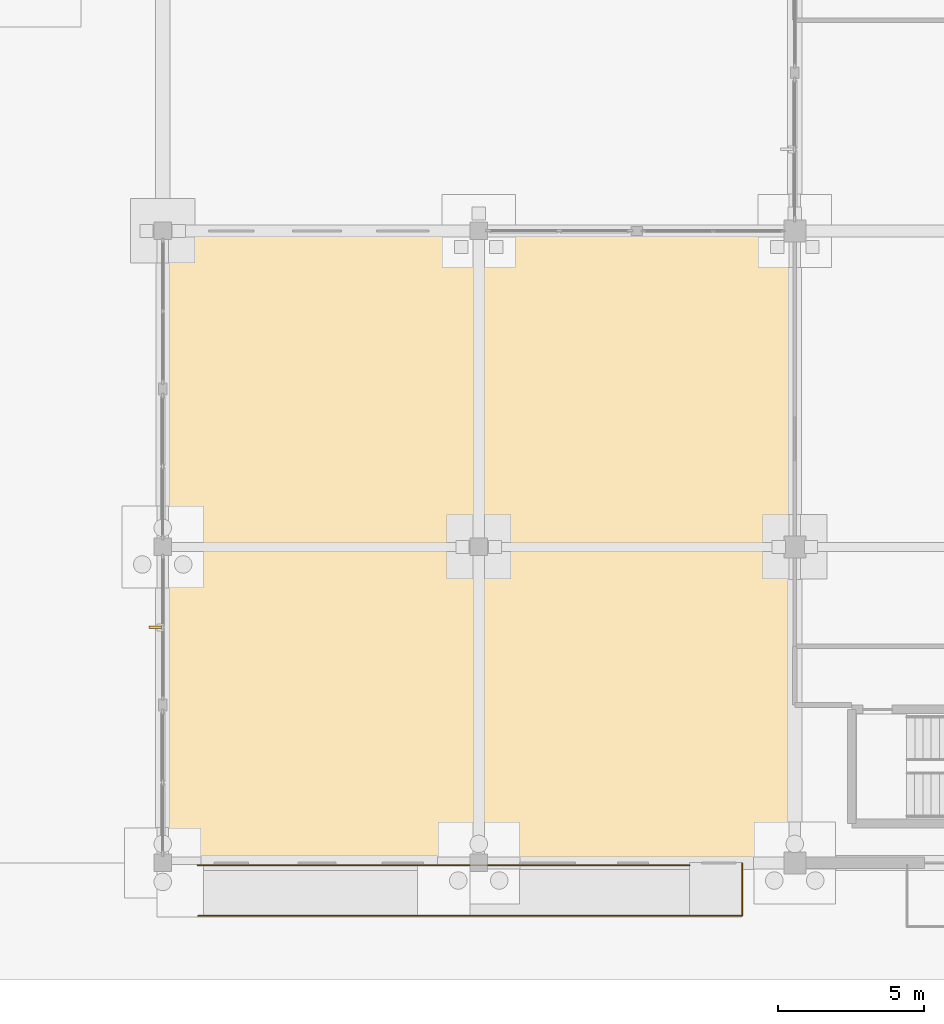
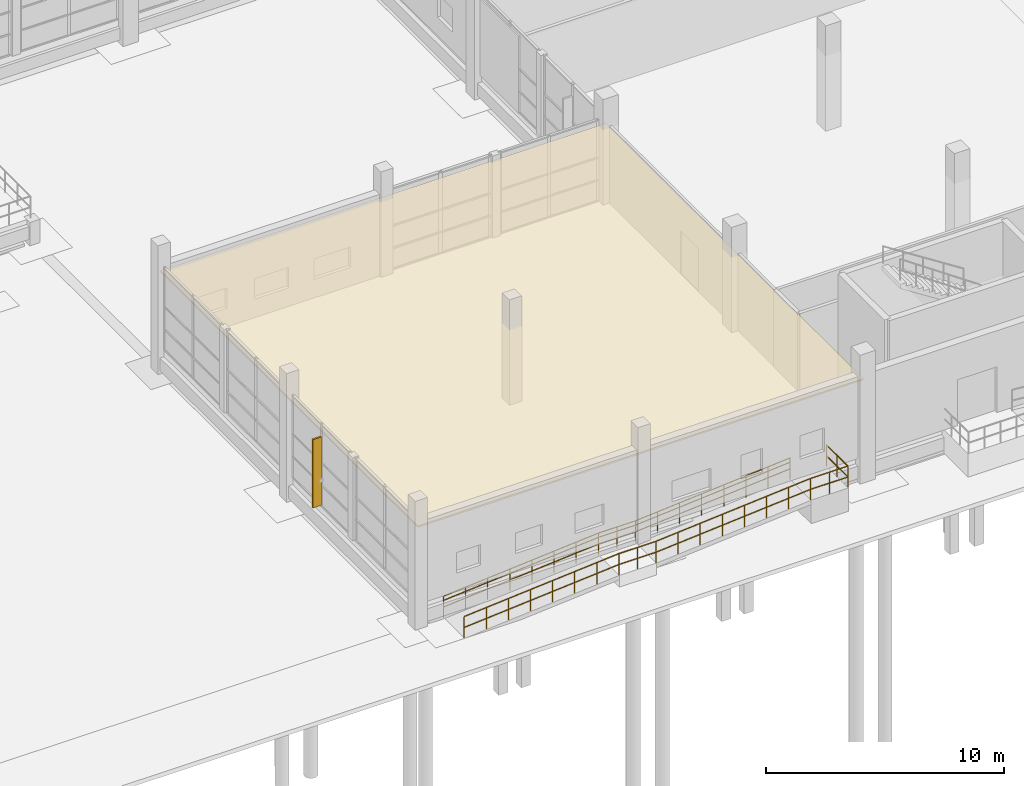
# One storey, part 126 of 138: 3 railings, 1 covering, 1 shading device.
"""IFC4 building model written with IfcOpenShell, lengths in metres."""

import ifcopenshell
import ifcopenshell.guid

model = None  # the IFC model being written
_history = None  # IfcOwnerHistory: only IFC2X3 demands one
_inside = {}  # id of a spatial element -> (the spatial element, [elements in it])
_under = {}  # id of a project, library or spatial element -> (it, [spatial elements below it])
_declared = {}  # id of a project -> (the project, [libraries it declares])
_typed = {}  # id of a type object -> (the type object, [elements of that type])
_made_of = {}  # id of a material, layer set ... -> (it, [elements and type objects made of it])


def new_model(schema):
    """Start an empty IFC model of exactly this schema.

    Asked for "IFC4X3", IfcOpenShell would pick the latest addendum, in which some entities
    have other attributes; the version numbers below select the first issue.
    IFC2X3 requires an IfcOwnerHistory on every rooted entity: one is made here for all.
    """
    global model, _history
    if schema == "IFC4X3":
        model = ifcopenshell.file(schema_version=(4, 3, 0, 0))
    else:
        model = ifcopenshell.file(schema=schema)
    _inside.clear()
    _under.clear()
    _declared.clear()
    _typed.clear()
    _made_of.clear()
    _history = None
    if model.schema == "IFC2X3":
        org = make("IfcOrganization", Name="unknown")
        user = make(
            "IfcPersonAndOrganization",
            ThePerson=make("IfcPerson", FamilyName="unknown"),
            TheOrganization=org,
        )
        app = make(
            "IfcApplication",
            ApplicationDeveloper=org,
            Version="unknown",
            ApplicationFullName="unknown",
            ApplicationIdentifier="unknown",
        )
        _history = make(
            "IfcOwnerHistory",
            OwningUser=user,
            OwningApplication=app,
            ChangeAction="ADDED",
            CreationDate=0,
        )
    return model


def make(cls, **values):
    """One entity of the class cls with the attributes given. An attribute that is None is left unset."""
    return model.create_entity(
        cls, **{name: value for name, value in values.items() if value is not None}
    )


def rooted(cls, **values):
    """An entity with a GlobalId (a new one), such as an element, a storey or a relation."""
    return make(cls, GlobalId=ifcopenshell.guid.new(), OwnerHistory=_history, **values)


def si_unit(unit_type, name, prefix=None):
    """IfcSIUnit, for example si_unit("LENGTHUNIT", "METRE", prefix="MILLI")."""
    return make("IfcSIUnit", UnitType=unit_type, Prefix=prefix, Name=name)


def assignment(units):
    """IfcUnitAssignment: the units of a project."""
    return None if units is None else make("IfcUnitAssignment", Units=units)


def point(xyz):
    """IfcCartesianPoint."""
    return None if xyz is None else make("IfcCartesianPoint", Coordinates=xyz)


def direction(xyz):
    """IfcDirection."""
    return None if xyz is None else make("IfcDirection", DirectionRatios=xyz)


def frame(location, z_axis=None, x_axis=None):
    """IfcAxis2Placement3D, a coordinate frame: its origin and axes. An axis left out is left unset."""
    return make(
        "IfcAxis2Placement3D",
        Location=point(location),
        Axis=direction(z_axis),
        RefDirection=direction(x_axis),
    )


def frame_2d(location, x_axis=None):
    """IfcAxis2Placement2D, a coordinate frame in the plane: its origin and x axis."""
    return make(
        "IfcAxis2Placement2D", Location=point(location), RefDirection=direction(x_axis)
    )


def origin():
    """The frame at (0, 0, 0) with its axes left unset."""
    return frame((0.0, 0.0, 0.0))


def origin_2d():
    """The frame at (0, 0) in the plane with its x axis left unset."""
    return frame_2d((0.0, 0.0))


def place(relative_to, where):
    """IfcLocalPlacement: puts the frame where relative to a parent placement (None: the world)."""
    return make(
        "IfcLocalPlacement", PlacementRelTo=relative_to, RelativePlacement=where
    )


def context(
    kind, dimensions, precision=None, world=None, true_north=None, identifier=None
):
    """IfcGeometricRepresentationContext, for example the 3D "Model" context."""
    return make(
        "IfcGeometricRepresentationContext",
        ContextIdentifier=identifier,
        ContextType=kind,
        CoordinateSpaceDimension=dimensions,
        Precision=precision,
        WorldCoordinateSystem=world,
        TrueNorth=true_north,
    )


def subcontext(parent, identifier, kind, view, scale=None):
    """IfcGeometricRepresentationSubContext, for example "Body" below "Model"."""
    return make(
        "IfcGeometricRepresentationSubContext",
        ContextIdentifier=identifier,
        ContextType=kind,
        ParentContext=parent,
        TargetScale=scale,
        TargetView=view,
    )


def project(units=None, contexts=None):
    """IfcProject with its units and contexts."""
    return rooted(
        "IfcProject",
        Name="project",
        RepresentationContexts=contexts,
        UnitsInContext=assignment(units),
    )


def spatial(cls, under=None, at=None, **own):
    """A site, building, storey or space (cls), placed at a placement, below another one or the project."""
    s = rooted(cls, ObjectPlacement=at, **own)
    if under is not None:
        _under.setdefault(under.id(), (under, []))[1].append(s)
    return s


def polyline(points):
    """IfcPolyline through the points."""
    return make("IfcPolyline", Points=[point(p) for p in points])


def profile(cls, at=None, kind="AREA", **sizes):
    """A parametric profile (cls). Its sizes go by their IFC names, for example OverallWidth=200.0."""
    return make(cls, ProfileType=kind, Position=at, **sizes)


def rectangle(**sizes):
    """IfcRectangleProfileDef."""
    return profile("IfcRectangleProfileDef", **sizes)


def circle(**sizes):
    """IfcCircleProfileDef."""
    return profile("IfcCircleProfileDef", **sizes)


def outline(outer, holes=None, kind="AREA"):
    """IfcArbitraryClosedProfileDef: a profile drawn as a closed curve; with holes, ...WithVoids."""
    if holes is None:
        return make("IfcArbitraryClosedProfileDef", ProfileType=kind, OuterCurve=outer)
    return make(
        "IfcArbitraryProfileDefWithVoids",
        ProfileType=kind,
        OuterCurve=outer,
        InnerCurves=holes,
    )


def extrude(swept, where, along, depth):
    """IfcExtrudedAreaSolid: the profile swept, set in the frame where, extruded along a direction by depth."""
    return make(
        "IfcExtrudedAreaSolid",
        SweptArea=swept,
        Position=where,
        ExtrudedDirection=direction(along),
        Depth=depth,
    )


def shape(context_of_items, identifier, shape_type, items):
    """IfcShapeRepresentation: the items that make up one representation, for example the "Body"."""
    return make(
        "IfcShapeRepresentation",
        ContextOfItems=context_of_items,
        RepresentationIdentifier=identifier,
        RepresentationType=shape_type,
        Items=items,
    )


def material(Name=None, Category=None):
    """IfcMaterial."""
    return make("IfcMaterial", Name=Name, Category=Category)


def layer(
    of_material, thickness, ventilated=None, Name=None, Category=None, Priority=None
):
    """IfcMaterialLayer: one layer of a wall or slab, of a material (None: an air gap)."""
    return make(
        "IfcMaterialLayer",
        Material=of_material,
        LayerThickness=thickness,
        IsVentilated=ventilated,
        Name=Name,
        Category=Category,
        Priority=Priority,
    )


def layer_set(layers, Name=None):
    """IfcMaterialLayerSet."""
    return make("IfcMaterialLayerSet", MaterialLayers=layers, LayerSetName=Name)


def made_of(thing, what):
    """Note that an element or type object is made of a material, layer set ...; save() writes the relation."""
    if what is not None:
        _made_of.setdefault(what.id(), (what, []))[1].append(thing)
    return thing


def type_object(cls, material=None, **own):
    """A type object (cls), such as IfcWallType, which elements share."""
    return made_of(rooted(cls, **own), material)


def element(
    cls,
    number,
    at=None,
    inside=None,
    cuts=None,
    type_object=None,
    material=None,
    context=None,
    identifier="Body",
    shape_type=None,
    held_by="IfcProductDefinitionShape",
    body=None,
    shapes=None,
    **own,
):
    """One element of the class cls, such as IfcWall. Its Tag is "e" and its number.

    at: its placement. inside: the storey or other place that contains it. cuts: it is an
    opening in that element (IfcRelVoidsElement). A single representation is given by context,
    identifier, shape_type and body (its items); several are given by shapes. held_by: the class
    of the entity that holds the representations. save() writes the other relations.
    """
    e = rooted(cls, Tag="e%d" % number, ObjectPlacement=at, **own)
    if body is not None:
        shapes = [shape(context, identifier, shape_type, body)]
    if shapes is not None:
        e.Representation = make(held_by, Representations=shapes)
    if inside is not None:
        _inside.setdefault(inside.id(), (inside, []))[1].append(e)
    if cuts is not None:
        rooted(
            "IfcRelVoidsElement", RelatingBuildingElement=cuts, RelatedOpeningElement=e
        )
    if type_object is not None:
        _typed.setdefault(type_object.id(), (type_object, []))[1].append(e)
    return made_of(e, material)


def aggregate(whole, parts):
    """IfcRelAggregates: a whole, such as a stair, and the parts it consists of."""
    return rooted("IfcRelAggregates", RelatingObject=whole, RelatedObjects=parts)


def save(model, path):
    """Write the relations noted so far, then the file.

    IfcRelAggregates (storeys below a building ...), IfcRelContainedInSpatialStructure (elements
    in a storey), IfcRelDefinesByType, IfcRelAssociatesMaterial and IfcRelDeclares: one each for
    every whole, place, type object, material and project.
    """
    for whole, parts in _under.values():
        aggregate(whole, parts)
    for where, things in _inside.values():
        rooted(
            "IfcRelContainedInSpatialStructure",
            RelatedElements=things,
            RelatingStructure=where,
        )
    for kind, things in _typed.values():
        rooted("IfcRelDefinesByType", RelatedObjects=things, RelatingType=kind)
    for what, things in _made_of.values():
        rooted("IfcRelAssociatesMaterial", RelatedObjects=things, RelatingMaterial=what)
    for by, libraries in _declared.values():
        rooted("IfcRelDeclares", RelatingContext=by, RelatedDefinitions=libraries)
    model.write(path)


model = new_model("IFC4")

# Units and contexts
model_context = context("Model", 3, precision=1e-05, world=origin(), true_north=direction((0.0, 1.0)))
body_context = subcontext(model_context, "Body", "Model", "MODEL_VIEW")
ifc_project = project(units=[si_unit("LENGTHUNIT", "METRE"), si_unit("AREAUNIT", "SQUARE_METRE"), si_unit("VOLUMEUNIT", "CUBIC_METRE"), si_unit("PLANEANGLEUNIT", "RADIAN"), si_unit("MASSUNIT", "GRAM", prefix="KILO")], contexts=[model_context])

# Site, building, storey
site_placement = place(None, origin())
site = spatial("IfcSite", under=ifc_project, at=site_placement, CompositionType="ELEMENT")
building_placement = place(site_placement, origin())
building = spatial("IfcBuilding", under=site, at=building_placement, Name="Zwinboog Wholesale Market", CompositionType="ELEMENT")
storey_placement = place(building_placement, origin())
storey = spatial("IfcBuildingStorey", under=building, at=storey_placement, Name="L00", CompositionType="ELEMENT", Elevation=0.0)

# Shading device
ifc_material_1 = material(Name="Western red cedar timber", Category="wood")
shading_device_type = type_object("IfcShadingDeviceType", Name="SHD-FIN-CEDAR", PredefinedType="USERDEFINED", material=ifc_material_1)
shading_device_placement = place(storey_placement, frame((107.7451171875, 8.052490234375, 0.080078125), z_axis=(0.0, 0.0, 1.0), x_axis=(1.0, 0.0, 0.0)))
element("IfcShadingDevice", 1, at=shading_device_placement, inside=storey, type_object=shading_device_type, Name="FN-01 (SHD-FIN-012)", ObjectType="FIN", PredefinedType="USERDEFINED", context=body_context, shape_type="SweptSolid", body=[
    extrude(rectangle(XDim=0.419921875, YDim=0.0849609375, at=origin_2d()), origin(), (0.0, 0.0, 1.0), 3.5),
])

# Railings
ifc_material_2 = material(Name="Steel S355", Category="steel")
railing_type_1 = type_object("IfcRailingType", Name="RLT-EXT-GUARD", PredefinedType="BALUSTRADE", material=ifc_material_2)
railing_1_placement = place(storey_placement, frame((109.199951171875, -1.81005859375, -1.199951171875)))
element("IfcRailing", 2, at=railing_1_placement, inside=storey, type_object=railing_type_1, Name="GR-01 (RLG-RMP-03-GO)", PredefinedType="BALUSTRADE", context=body_context, shape_type="SweptSolid", body=[
    extrude(circle(Radius=0.02392578125, at=origin_2d()), frame((0.0, 0.0, 1.09619140625), z_axis=(0.99681682597, 0.0, 0.079725876999), x_axis=(0.0, 1.0, 0.0)), (0.0, 0.0, 1.0), 7.52392578125),
    extrude(circle(Radius=0.02392578125, at=origin_2d()), frame((0.0, 0.0, 0.5361328125), z_axis=(0.99681682597, 0.0, 0.079725876999), x_axis=(0.0, 1.0, 0.0)), (0.0, 0.0, 1.0), 7.52392578125),
    extrude(circle(Radius=0.02392578125, at=origin_2d()), frame((7.5, 0.0, 1.69580078125), z_axis=(1.0, 0.0, 0.0), x_axis=(0.0, 1.0, 0.0)), (0.0, 0.0, 1.0), 1.800048828125),
    extrude(circle(Radius=0.02392578125, at=origin_2d()), frame((7.5, 0.0, 1.1357421875), z_axis=(1.0, 0.0, 0.0), x_axis=(0.0, 1.0, 0.0)), (0.0, 0.0, 1.0), 1.800048828125),
    extrude(circle(Radius=0.02392578125, at=origin_2d()), frame((9.300048828125, 0.0, 1.69580078125), z_axis=(0.996814246708, 0.0, 0.079758119089), x_axis=(0.0, 1.0, 0.0)), (0.0, 0.0, 1.0), 7.52392578125),
    extrude(circle(Radius=0.02392578125, at=origin_2d()), frame((9.300048828125, 0.0, 1.1357421875), z_axis=(0.996814246708, 0.0, 0.079758119089), x_axis=(0.0, 1.0, 0.0)), (0.0, 0.0, 1.0), 7.52392578125),
    extrude(circle(Radius=0.02392578125, at=origin_2d()), frame((16.800048828125, 0.0, 2.2958984375), z_axis=(1.0, 0.0, 0.0), x_axis=(0.0, 1.0, 0.0)), (0.0, 0.0, 1.0), 1.800048828125),
    extrude(circle(Radius=0.02392578125, at=origin_2d()), frame((16.800048828125, 0.0, 1.73583984375), z_axis=(1.0, 0.0, 0.0), x_axis=(0.0, 1.0, 0.0)), (0.0, 0.0, 1.0), 1.800048828125),
    extrude(circle(Radius=0.02392578125, at=origin_2d()), frame((18.60009765625, 0.0, 2.2958984375), z_axis=(0.0, 1.0, 0.0), x_axis=(-1.0, 0.0, 0.0)), (0.0, 0.0, 1.0), 1.81005859375),
    extrude(circle(Radius=0.02392578125, at=origin_2d()), frame((18.60009765625, 0.0, 1.73583984375), z_axis=(0.0, 1.0, 0.0), x_axis=(-1.0, 0.0, 0.0)), (0.0, 0.0, 1.0), 1.81005859375),
    extrude(circle(Radius=0.02099609375, at=origin_2d()), origin(), (0.0, 0.0, 1.0), 1.072021484375),
    extrude(circle(Radius=0.02099609375, at=origin_2d()), frame((1.071533203125, 0.0, 0.085693359375)), (0.0, 0.0, 1.0), 1.072021484375),
    extrude(circle(Radius=0.02099609375, at=origin_2d()), frame((2.142822265625, 0.0, 0.17138671875)), (0.0, 0.0, 1.0), 1.072021484375),
    extrude(circle(Radius=0.02099609375, at=origin_2d()), frame((3.21435546875, 0.0, 0.257080078125)), (0.0, 0.0, 1.0), 1.072021484375),
    extrude(circle(Radius=0.02099609375, at=origin_2d()), frame((4.28564453125, 0.0, 0.3427734375)), (0.0, 0.0, 1.0), 1.072021484375),
    extrude(circle(Radius=0.02099609375, at=origin_2d()), frame((5.357177734375, 0.0, 0.428466796875)), (0.0, 0.0, 1.0), 1.072021484375),
    extrude(circle(Radius=0.02099609375, at=origin_2d()), frame((6.428466796875, 0.0, 0.51416015625)), (0.0, 0.0, 1.0), 1.072021484375),
    extrude(circle(Radius=0.02099609375, at=origin_2d()), frame((7.5, 0.0, 0.599853515625)), (0.0, 0.0, 1.0), 1.072021484375),
    extrude(circle(Radius=0.02099609375, at=origin_2d()), frame((8.39990234375, 0.0, 0.599853515625)), (0.0, 0.0, 1.0), 1.072021484375),
    extrude(circle(Radius=0.02099609375, at=origin_2d()), frame((9.300048828125, 0.0, 0.599853515625)), (0.0, 0.0, 1.0), 1.072021484375),
    extrude(circle(Radius=0.02099609375, at=origin_2d()), frame((10.37158203125, 0.0, 0.685546875)), (0.0, 0.0, 1.0), 1.072021484375),
    extrude(circle(Radius=0.02099609375, at=origin_2d()), frame((11.44287109375, 0.0, 0.771240234375)), (0.0, 0.0, 1.0), 1.072021484375),
    extrude(circle(Radius=0.02099609375, at=origin_2d()), frame((12.514404296875, 0.0, 0.85693359375)), (0.0, 0.0, 1.0), 1.072021484375),
    extrude(circle(Radius=0.02099609375, at=origin_2d()), frame((13.585693359375, 0.0, 0.94287109375)), (0.0, 0.0, 1.0), 1.072021484375),
    extrude(circle(Radius=0.02099609375, at=origin_2d()), frame((14.6572265625, 0.0, 1.028564453125)), (0.0, 0.0, 1.0), 1.072021484375),
    extrude(circle(Radius=0.02099609375, at=origin_2d()), frame((15.728515625, 0.0, 1.1142578125)), (0.0, 0.0, 1.0), 1.072021484375),
    extrude(circle(Radius=0.02099609375, at=origin_2d()), frame((16.800048828125, 0.0, 1.199951171875)), (0.0, 0.0, 1.0), 1.072021484375),
    extrude(circle(Radius=0.02099609375, at=origin_2d()), frame((17.7001953125, 0.0, 1.199951171875)), (0.0, 0.0, 1.0), 1.072021484375),
    extrude(circle(Radius=0.02099609375, at=origin_2d()), frame((18.60009765625, 0.0, 1.199951171875)), (0.0, 0.0, 1.0), 1.072021484375),
    extrude(circle(Radius=0.02099609375, at=origin_2d()), frame((18.60009765625, 0.905029296875, 1.199951171875)), (0.0, 0.0, 1.0), 1.072021484375),
    extrude(circle(Radius=0.02099609375, at=origin_2d()), frame((18.60009765625, 1.81005859375, 1.199951171875)), (0.0, 0.0, 1.0), 1.072021484375),
])
railing_2_placement = place(storey_placement, frame((109.199951171875, -0.080078125, -1.199951171875)))
element("IfcRailing", 3, at=railing_2_placement, inside=storey, type_object=railing_type_1, Name="GR-01 (RLG-RMP-03-GI)", PredefinedType="BALUSTRADE", context=body_context, shape_type="SweptSolid", body=[
    extrude(circle(Radius=0.02392578125, at=origin_2d()), frame((0.0, 0.0, 1.09619140625), z_axis=(0.99681682597, 0.0, 0.079725876999), x_axis=(0.0, 1.0, 0.0)), (0.0, 0.0, 1.0), 7.52392578125),
    extrude(circle(Radius=0.02392578125, at=origin_2d()), frame((0.0, 0.0, 0.5361328125), z_axis=(0.99681682597, 0.0, 0.079725876999), x_axis=(0.0, 1.0, 0.0)), (0.0, 0.0, 1.0), 7.52392578125),
    extrude(circle(Radius=0.02392578125, at=origin_2d()), frame((7.5, 0.0, 1.69580078125), z_axis=(1.0, 0.0, 0.0), x_axis=(0.0, 1.0, 0.0)), (0.0, 0.0, 1.0), 1.800048828125),
    extrude(circle(Radius=0.02392578125, at=origin_2d()), frame((7.5, 0.0, 1.1357421875), z_axis=(1.0, 0.0, 0.0), x_axis=(0.0, 1.0, 0.0)), (0.0, 0.0, 1.0), 1.800048828125),
    extrude(circle(Radius=0.02392578125, at=origin_2d()), frame((9.300048828125, 0.0, 1.69580078125), z_axis=(0.996814246708, 0.0, 0.079758119089), x_axis=(0.0, 1.0, 0.0)), (0.0, 0.0, 1.0), 7.52392578125),
    extrude(circle(Radius=0.02392578125, at=origin_2d()), frame((9.300048828125, 0.0, 1.1357421875), z_axis=(0.996814246708, 0.0, 0.079758119089), x_axis=(0.0, 1.0, 0.0)), (0.0, 0.0, 1.0), 7.52392578125),
    extrude(circle(Radius=0.02099609375, at=origin_2d()), origin(), (0.0, 0.0, 1.0), 1.072021484375),
    extrude(circle(Radius=0.02099609375, at=origin_2d()), frame((1.071533203125, 0.0, 0.085693359375)), (0.0, 0.0, 1.0), 1.072021484375),
    extrude(circle(Radius=0.02099609375, at=origin_2d()), frame((2.142822265625, 0.0, 0.17138671875)), (0.0, 0.0, 1.0), 1.072021484375),
    extrude(circle(Radius=0.02099609375, at=origin_2d()), frame((3.21435546875, 0.0, 0.257080078125)), (0.0, 0.0, 1.0), 1.072021484375),
    extrude(circle(Radius=0.02099609375, at=origin_2d()), frame((4.28564453125, 0.0, 0.3427734375)), (0.0, 0.0, 1.0), 1.072021484375),
    extrude(circle(Radius=0.02099609375, at=origin_2d()), frame((5.357177734375, 0.0, 0.428466796875)), (0.0, 0.0, 1.0), 1.072021484375),
    extrude(circle(Radius=0.02099609375, at=origin_2d()), frame((6.428466796875, 0.0, 0.51416015625)), (0.0, 0.0, 1.0), 1.072021484375),
    extrude(circle(Radius=0.02099609375, at=origin_2d()), frame((7.5, 0.0, 0.599853515625)), (0.0, 0.0, 1.0), 1.072021484375),
    extrude(circle(Radius=0.02099609375, at=origin_2d()), frame((8.39990234375, 0.0, 0.599853515625)), (0.0, 0.0, 1.0), 1.072021484375),
    extrude(circle(Radius=0.02099609375, at=origin_2d()), frame((9.300048828125, 0.0, 0.599853515625)), (0.0, 0.0, 1.0), 1.072021484375),
    extrude(circle(Radius=0.02099609375, at=origin_2d()), frame((10.37158203125, 0.0, 0.685546875)), (0.0, 0.0, 1.0), 1.072021484375),
    extrude(circle(Radius=0.02099609375, at=origin_2d()), frame((11.44287109375, 0.0, 0.771240234375)), (0.0, 0.0, 1.0), 1.072021484375),
    extrude(circle(Radius=0.02099609375, at=origin_2d()), frame((12.514404296875, 0.0, 0.85693359375)), (0.0, 0.0, 1.0), 1.072021484375),
    extrude(circle(Radius=0.02099609375, at=origin_2d()), frame((13.585693359375, 0.0, 0.94287109375)), (0.0, 0.0, 1.0), 1.072021484375),
    extrude(circle(Radius=0.02099609375, at=origin_2d()), frame((14.6572265625, 0.0, 1.028564453125)), (0.0, 0.0, 1.0), 1.072021484375),
    extrude(circle(Radius=0.02099609375, at=origin_2d()), frame((15.728515625, 0.0, 1.1142578125)), (0.0, 0.0, 1.0), 1.072021484375),
    extrude(circle(Radius=0.02099609375, at=origin_2d()), frame((16.800048828125, 0.0, 1.199951171875)), (0.0, 0.0, 1.0), 1.072021484375),
])
railing_type_2 = type_object("IfcRailingType", Name="RLT-HANDRAIL", PredefinedType="HANDRAIL", material=ifc_material_2)
railing_3_placement = place(storey_placement, frame((109.199951171875, -0.080078125, -1.199951171875)))
element("IfcRailing", 4, at=railing_3_placement, inside=storey, type_object=railing_type_2, Name="HR-01 (RLG-RMP-03-HR)", PredefinedType="HANDRAIL", context=body_context, shape_type="SweptSolid", body=[
    extrude(circle(Radius=0.02392578125, at=origin_2d()), frame((0.0, 0.0, 0.8759765625), z_axis=(0.99681682597, 0.0, 0.079725876999), x_axis=(0.0, 1.0, 0.0)), (0.0, 0.0, 1.0), 7.52392578125),
    extrude(circle(Radius=0.02392578125, at=origin_2d()), frame((7.5, 0.0, 1.4755859375), z_axis=(1.0, 0.0, 0.0), x_axis=(0.0, 1.0, 0.0)), (0.0, 0.0, 1.0), 1.800048828125),
    extrude(circle(Radius=0.02392578125, at=origin_2d()), frame((9.300048828125, 0.0, 1.4755859375), z_axis=(0.996814246708, 0.0, 0.079758119089), x_axis=(0.0, 1.0, 0.0)), (0.0, 0.0, 1.0), 7.52392578125),
    extrude(circle(Radius=0.02099609375, at=origin_2d()), origin(), (0.0, 0.0, 1.0), 0.851806640625),
    extrude(circle(Radius=0.02099609375, at=origin_2d()), frame((1.071533203125, 0.0, 0.085693359375)), (0.0, 0.0, 1.0), 0.851806640625),
    extrude(circle(Radius=0.02099609375, at=origin_2d()), frame((2.142822265625, 0.0, 0.17138671875)), (0.0, 0.0, 1.0), 0.851806640625),
    extrude(circle(Radius=0.02099609375, at=origin_2d()), frame((3.21435546875, 0.0, 0.257080078125)), (0.0, 0.0, 1.0), 0.851806640625),
    extrude(circle(Radius=0.02099609375, at=origin_2d()), frame((4.28564453125, 0.0, 0.3427734375)), (0.0, 0.0, 1.0), 0.851806640625),
    extrude(circle(Radius=0.02099609375, at=origin_2d()), frame((5.357177734375, 0.0, 0.428466796875)), (0.0, 0.0, 1.0), 0.851806640625),
    extrude(circle(Radius=0.02099609375, at=origin_2d()), frame((6.428466796875, 0.0, 0.51416015625)), (0.0, 0.0, 1.0), 0.851806640625),
    extrude(circle(Radius=0.02099609375, at=origin_2d()), frame((7.5, 0.0, 0.599853515625)), (0.0, 0.0, 1.0), 0.851806640625),
    extrude(circle(Radius=0.02099609375, at=origin_2d()), frame((8.39990234375, 0.0, 0.599853515625)), (0.0, 0.0, 1.0), 0.851806640625),
    extrude(circle(Radius=0.02099609375, at=origin_2d()), frame((9.300048828125, 0.0, 0.599853515625)), (0.0, 0.0, 1.0), 0.851806640625),
    extrude(circle(Radius=0.02099609375, at=origin_2d()), frame((10.37158203125, 0.0, 0.685546875)), (0.0, 0.0, 1.0), 0.851806640625),
    extrude(circle(Radius=0.02099609375, at=origin_2d()), frame((11.44287109375, 0.0, 0.771240234375)), (0.0, 0.0, 1.0), 0.851806640625),
    extrude(circle(Radius=0.02099609375, at=origin_2d()), frame((12.514404296875, 0.0, 0.85693359375)), (0.0, 0.0, 1.0), 0.851806640625),
    extrude(circle(Radius=0.02099609375, at=origin_2d()), frame((13.585693359375, 0.0, 0.94287109375)), (0.0, 0.0, 1.0), 0.851806640625),
    extrude(circle(Radius=0.02099609375, at=origin_2d()), frame((14.6572265625, 0.0, 1.028564453125)), (0.0, 0.0, 1.0), 0.851806640625),
    extrude(circle(Radius=0.02099609375, at=origin_2d()), frame((15.728515625, 0.0, 1.1142578125)), (0.0, 0.0, 1.0), 0.851806640625),
    extrude(circle(Radius=0.02099609375, at=origin_2d()), frame((16.800048828125, 0.0, 1.199951171875)), (0.0, 0.0, 1.0), 0.851806640625),
])

# Covering
ifc_material_3 = material(Name="Western red cedar acoustic baffle ceiling", Category="wood")
ifc_layer = layer(ifc_material_3, 0.080078125)
ifc_layer_set = layer_set([ifc_layer], Name="Western red cedar acoustic baffle ceiling")
covering_type = type_object("IfcCoveringType", Name="COV-CEIL-CEDAR", PredefinedType="CEILING", material=ifc_layer_set)
covering_placement = place(storey_placement, frame((0.0, 0.0, 3.77001953125)))
element("IfcCovering", 5, at=covering_placement, inside=storey, type_object=covering_type, Name="CL-01 (COV-CL-L00-008)", PredefinedType="CEILING", context=body_context, shape_type="SweptSolid", body=[
    extrude(outline(polyline([(108.0, 0.0), (129.60009765625, 0.0), (129.60009765625, 21.60009765625), (108.0, 21.60009765625), (108.0, 0.0)])), origin(), (0.0, 0.0, 1.0), 0.080078125),
])

save(model, "model.ifc")
